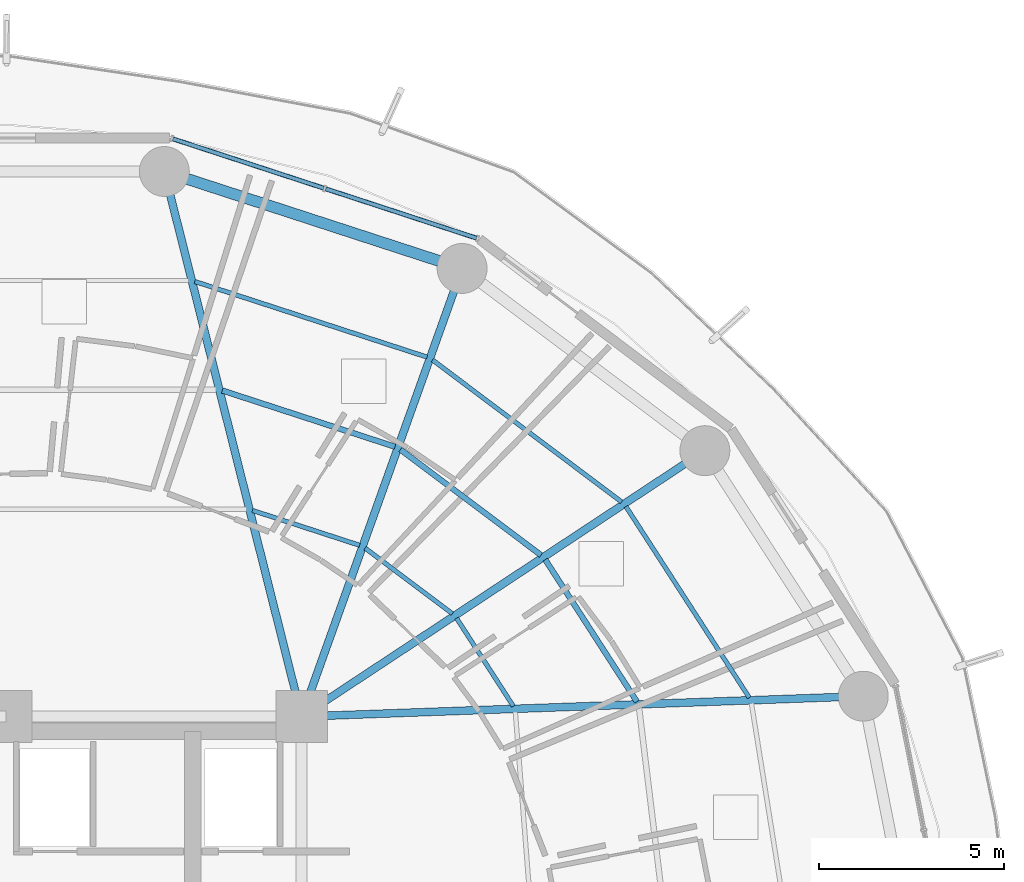
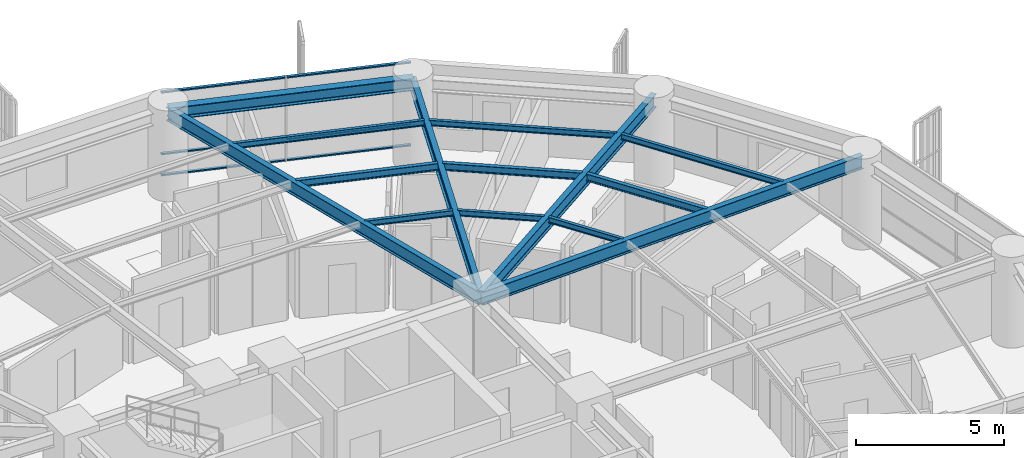
# One storey, part 23 of 35: 14 beams, 6 members, 1 element without a shape of its own.
"""IFC4 building model written with IfcOpenShell, lengths in metres."""

from ifc_helpers import new_model, si_unit, direction, frame, origin, origin_2d, place, context, subcontext, project, spatial, hollow_rectangle, i_section, extrude, material, layer, layer_set, material_profile, profile_set, type_object, element, aggregate, save


model = new_model("IFC4")

# Units and contexts
model_context = context("Model", 3, precision=1e-05, world=origin(), true_north=direction((0.0, 1.0)))
body_context = subcontext(model_context, "Body", "Model", "MODEL_VIEW")
ifc_project = project(units=[si_unit("LENGTHUNIT", "METRE"), si_unit("AREAUNIT", "SQUARE_METRE"), si_unit("VOLUMEUNIT", "CUBIC_METRE"), si_unit("PLANEANGLEUNIT", "RADIAN"), si_unit("MASSUNIT", "GRAM", prefix="KILO")], contexts=[model_context])

# Site, building, storey
site_placement = place(None, origin())
site = spatial("IfcSite", under=ifc_project, at=site_placement, CompositionType="ELEMENT")
building_placement = place(site_placement, origin())
building = spatial("IfcBuilding", under=site, at=building_placement, Name="Kelanora Arch Commons", CompositionType="ELEMENT")
storey_placement = place(building_placement, frame((0.0, 0.0, 87.60009765625)))
storey = spatial("IfcBuildingStorey", under=building, at=storey_placement, Name="L22", CompositionType="ELEMENT", Elevation=87.60009765625)

# Beams
ifc_material_1 = material(Name="Steel S355", Category="steel")
ifc_material_profile_1 = material_profile(ifc_material_1, i_section(OverallWidth=0.14990234375, OverallDepth=0.300048828125, WebThickness=0.007080078125, FlangeThickness=0.0107421875, FilletRadius=0.014892578125, at=origin_2d()), Name="IPE300")
ifc_profile_set_1 = profile_set([ifc_material_profile_1], Name="Steel S355")
beam_type_1 = type_object("IfcBeamType", Name="BM-JST-01", PredefinedType="JOIST", material=ifc_profile_set_1)
beam_1_placement = place(storey_placement, frame((91.06884765625, 65.402587890625, 3.33984375), z_axis=(-0.542230243286, 0.840229946661, 0.0), x_axis=(-0.840229946661, -0.542230243286, 0.0)))
element("IfcBeam", 1, at=beam_1_placement, inside=storey, type_object=beam_type_1, Name="Secondary Chord Joist BJB-02 L22", PredefinedType="JOIST", context=body_context, shape_type="SweptSolid", body=[
    extrude(i_section(OverallWidth=0.14990234375, OverallDepth=0.300048828125, WebThickness=0.007080078125, FlangeThickness=0.0107421875, FilletRadius=0.014892578125, at=origin_2d()), origin(), (0.0, 0.0, 1.0), 4.572265625),
])
beam_2_placement = place(storey_placement, frame((88.4755859375, 69.36669921875, 3.33984375), z_axis=(-0.79971039107, 0.600385951214, 0.0), x_axis=(-0.600385951214, -0.79971039107, 0.0)))
element("IfcBeam", 2, at=beam_2_placement, inside=storey, type_object=beam_type_1, Name="Secondary Chord Joist BJB-04 L22", PredefinedType="JOIST", context=body_context, shape_type="SweptSolid", body=[
    extrude(i_section(OverallWidth=0.14990234375, OverallDepth=0.300048828125, WebThickness=0.007080078125, FlangeThickness=0.0107421875, FilletRadius=0.014892578125, at=origin_2d()), origin(), (0.0, 0.0, 1.0), 4.756103515625),
])
beam_3_placement = place(storey_placement, frame((84.523193359375, 72.29931640625, 3.33984375), z_axis=(-0.950857140254, 0.309629938521, 0.0), x_axis=(-0.309629938521, -0.950857140254, 0.0)))
element("IfcBeam", 3, at=beam_3_placement, inside=storey, type_object=beam_type_1, Name="Secondary Chord Joist BJB-06 L22", PredefinedType="JOIST", context=body_context, shape_type="SweptSolid", body=[
    extrude(i_section(OverallWidth=0.14990234375, OverallDepth=0.300048828125, WebThickness=0.007080078125, FlangeThickness=0.0107421875, FilletRadius=0.014892578125, at=origin_2d()), origin(), (0.0, 0.0, 1.0), 4.912353515625),
])
ifc_material_profile_2 = material_profile(ifc_material_1, i_section(OverallWidth=0.1201171875, OverallDepth=0.239990234375, WebThickness=0.006103515625, FlangeThickness=0.009765625, FilletRadius=0.014892578125, at=origin_2d()), Name="IPE240")
ifc_profile_set_2 = profile_set([ifc_material_profile_2], Name="Steel S355")
beam_type_2 = type_object("IfcBeamType", Name="BM-JST-02", PredefinedType="JOIST", material=ifc_profile_set_2)
beam_4_placement = place(storey_placement, frame((87.726806640625, 65.281005859375, 3.369873046875), z_axis=(-0.542211255502, 0.840242199849, 0.0), x_axis=(-0.840242199849, -0.542211255502, 0.0)))
element("IfcBeam", 4, at=beam_4_placement, inside=storey, type_object=beam_type_2, Name="Secondary Chord Joist BJA-02 L22", PredefinedType="JOIST", context=body_context, shape_type="SweptSolid", body=[
    extrude(i_section(OverallWidth=0.1201171875, OverallDepth=0.239990234375, WebThickness=0.006103515625, FlangeThickness=0.009765625, FilletRadius=0.014892578125, at=origin_2d()), origin(), (0.0, 0.0, 1.0), 2.83349609375),
])
beam_5_placement = place(storey_placement, frame((94.107177734375, 65.512939453125, 3.369873046875), z_axis=(-0.542212726273, 0.840241250754, 0.0), x_axis=(-0.840241250754, -0.542212726273, 0.0)))
element("IfcBeam", 5, at=beam_5_placement, inside=storey, type_object=beam_type_2, Name="Secondary Chord Joist BJC-02 L22", PredefinedType="JOIST", context=body_context, shape_type="SweptSolid", body=[
    extrude(i_section(OverallWidth=0.1201171875, OverallDepth=0.239990234375, WebThickness=0.006103515625, FlangeThickness=0.009765625, FilletRadius=0.014892578125, at=origin_2d()), origin(), (0.0, 0.0, 1.0), 6.15283203125),
])
beam_6_placement = place(storey_placement, frame((86.076416015625, 67.7841796875, 3.369873046875), z_axis=(-0.799692034361, 0.600410401458, 0.0), x_axis=(-0.600410401458, -0.799692034361, 0.0)))
element("IfcBeam", 6, at=beam_6_placement, inside=storey, type_object=beam_type_2, Name="Secondary Chord Joist BJA-04 L22", PredefinedType="JOIST", context=body_context, shape_type="SweptSolid", body=[
    extrude(i_section(OverallWidth=0.1201171875, OverallDepth=0.239990234375, WebThickness=0.006103515625, FlangeThickness=0.009765625, FilletRadius=0.014892578125, at=origin_2d()), origin(), (0.0, 0.0, 1.0), 2.949951171875),
])
beam_7_placement = place(storey_placement, frame((90.65673828125, 70.805419921875, 3.369873046875), z_axis=(-0.799734335646, 0.600354055861, 0.0), x_axis=(-0.600354055861, -0.799734335646, 0.0)))
element("IfcBeam", 7, at=beam_7_placement, inside=storey, type_object=beam_type_2, Name="Secondary Chord Joist BJC-04 L22", PredefinedType="JOIST", context=body_context, shape_type="SweptSolid", body=[
    extrude(i_section(OverallWidth=0.1201171875, OverallDepth=0.239990234375, WebThickness=0.006103515625, FlangeThickness=0.009765625, FilletRadius=0.014892578125, at=origin_2d()), origin(), (0.0, 0.0, 1.0), 6.39794921875),
])
beam_8_placement = place(storey_placement, frame((83.568359375, 69.632568359375, 3.369873046875), z_axis=(-0.950846758946, 0.309661817151, 0.0), x_axis=(-0.309661817151, -0.950846758946, 0.0)))
element("IfcBeam", 8, at=beam_8_placement, inside=storey, type_object=beam_type_2, Name="Secondary Chord Joist BJA-06 L22", PredefinedType="JOIST", context=body_context, shape_type="SweptSolid", body=[
    extrude(i_section(OverallWidth=0.1201171875, OverallDepth=0.239990234375, WebThickness=0.006103515625, FlangeThickness=0.009765625, FilletRadius=0.014892578125, at=origin_2d()), origin(), (0.0, 0.0, 1.0), 3.048828125),
])
beam_9_placement = place(storey_placement, frame((85.39111328125, 74.723876953125, 3.369873046875), z_axis=(-0.950862829272, 0.309612467301, 0.0), x_axis=(-0.309612467301, -0.950862829272, 0.0)))
element("IfcBeam", 9, at=beam_9_placement, inside=storey, type_object=beam_type_2, Name="Secondary Chord Joist BJC-06 L22", PredefinedType="JOIST", context=body_context, shape_type="SweptSolid", body=[
    extrude(i_section(OverallWidth=0.1201171875, OverallDepth=0.239990234375, WebThickness=0.006103515625, FlangeThickness=0.009765625, FilletRadius=0.014892578125, at=origin_2d()), origin(), (0.0, 0.0, 1.0), 6.6064453125),
])
ifc_material_profile_3 = material_profile(ifc_material_1, i_section(OverallWidth=0.2099609375, OverallDepth=0.550048828125, WebThickness=0.010986328125, FlangeThickness=0.01708984375, FilletRadius=0.02392578125, at=origin_2d()), Name="IPE550")
ifc_profile_set_3 = profile_set([ifc_material_profile_3], Name="Steel S355")
beam_type_3 = type_object("IfcBeamType", Name="BM-RAD-Z2", PredefinedType="BEAM", material=ifc_profile_set_3)
beam_10_placement = place(storey_placement, frame((82.0, 65.0, 3.21484375), z_axis=(0.999341087625, 0.036295875581, 0.0), x_axis=(-0.036295875581, 0.999341087625, 0.0)))
element("IfcBeam", 10, at=beam_10_placement, inside=storey, type_object=beam_type_3, Name="Radial Floor Girder BR-02 L22", PredefinedType="BEAM", context=body_context, shape_type="SweptSolid", body=[
    extrude(i_section(OverallWidth=0.2099609375, OverallDepth=0.550048828125, WebThickness=0.010986328125, FlangeThickness=0.01708984375, FilletRadius=0.02392578125, at=origin_2d()), origin(), (0.0, 0.0, 1.0), 15.20166015625),
])
beam_11_placement = place(storey_placement, frame((82.0, 65.0, 3.21484375), z_axis=(0.834788577908, 0.550570640512, 0.0), x_axis=(-0.550570640512, 0.834788577908, 0.0)))
element("IfcBeam", 11, at=beam_11_placement, inside=storey, type_object=beam_type_3, Name="Radial Floor Girder BR-04 L22", PredefinedType="BEAM", context=body_context, shape_type="SweptSolid", body=[
    extrude(i_section(OverallWidth=0.2099609375, OverallDepth=0.550048828125, WebThickness=0.010986328125, FlangeThickness=0.01708984375, FilletRadius=0.02392578125, at=origin_2d()), origin(), (0.0, 0.0, 1.0), 13.064453125),
])
beam_12_placement = place(storey_placement, frame((82.0, 65.0, 3.21484375), z_axis=(0.337084640008, 0.941474346687, 0.0), x_axis=(-0.941474346687, 0.337084640008, 0.0)))
element("IfcBeam", 12, at=beam_12_placement, inside=storey, type_object=beam_type_3, Name="Radial Floor Girder BR-06 L22", PredefinedType="BEAM", context=body_context, shape_type="SweptSolid", body=[
    extrude(i_section(OverallWidth=0.2099609375, OverallDepth=0.550048828125, WebThickness=0.010986328125, FlangeThickness=0.01708984375, FilletRadius=0.02392578125, at=origin_2d()), origin(), (0.0, 0.0, 1.0), 12.875244140625),
])
beam_13_placement = place(storey_placement, frame((82.0, 65.0, 3.21484375), z_axis=(-0.244280647475, 0.969704576286, 0.0), x_axis=(-0.969704576286, -0.244280647475, 0.0)))
element("IfcBeam", 13, at=beam_13_placement, inside=storey, type_object=beam_type_3, Name="Radial Floor Girder BR-08 L22", PredefinedType="BEAM", context=body_context, shape_type="SweptSolid", body=[
    extrude(i_section(OverallWidth=0.2099609375, OverallDepth=0.550048828125, WebThickness=0.010986328125, FlangeThickness=0.01708984375, FilletRadius=0.02392578125, at=origin_2d()), origin(), (0.0, 0.0, 1.0), 15.205322265625),
])
ifc_material_profile_4 = material_profile(ifc_material_1, i_section(OverallWidth=0.300048828125, OverallDepth=0.5, WebThickness=0.014404296875, FlangeThickness=0.028076171875, FilletRadius=0.027099609375, at=origin_2d()), Name="HEB500")
ifc_profile_set_4 = profile_set([ifc_material_profile_4], Name="Steel S355")
beam_type_4 = type_object("IfcBeamType", Name="BM-SPN-Z2", PredefinedType="SPANDREL", material=ifc_profile_set_4)
beam_14_placement = place(storey_placement, frame((86.340087890625, 77.121826171875, 3.239990234375), z_axis=(-0.950856631974, 0.309631499418, 0.0), x_axis=(-0.309631499418, -0.950856631974, 0.0)))
element("IfcBeam", 14, at=beam_14_placement, inside=storey, type_object=beam_type_4, Name="Perimeter Spandrel Beam BS-06 L22", PredefinedType="SPANDREL", context=body_context, shape_type="SweptSolid", body=[
    extrude(i_section(OverallWidth=0.300048828125, OverallDepth=0.5, WebThickness=0.014404296875, FlangeThickness=0.028076171875, FilletRadius=0.027099609375, at=origin_2d()), origin(), (0.0, 0.0, 1.0), 8.470703125),
])

# Curtain wall, members
ifc_material_2 = material(Name="Terracotta ceramic-fritted low-E glass and aluminium", Category="masonry")
ifc_layer = layer(ifc_material_2, 0.159912109375)
ifc_layer_set = layer_set([ifc_layer], Name="Terracotta ceramic-fritted low-E glass and aluminium")
curtain_wall_type = type_object("IfcCurtainWallType", Name="CW-SYS-01", PredefinedType="NOTDEFINED", material=ifc_layer_set)
curtain_wall_placement = place(storey_placement, origin())
curtain_wall = element("IfcCurtainWall", 15, at=curtain_wall_placement, inside=storey, type_object=curtain_wall_type, Name="Unitised Curtain Wall L22-B03", PredefinedType="NOTDEFINED")
ifc_material_3 = material(Name="Powder-coated aluminium terracotta", Category="masonry")
ifc_material_profile_5 = material_profile(ifc_material_3, hollow_rectangle(XDim=0.1201171875, YDim=0.06005859375, WallThickness=0.0048828125, InnerFilletRadius=0.0048828125, OuterFilletRadius=0.010009765625, at=origin_2d()), Name="CWT120x60")
ifc_profile_set_5 = profile_set([ifc_material_profile_5], Name="Powder-coated aluminium terracotta")
member_type = type_object("IfcMemberType", Name="CWT-STD", PredefinedType="USERDEFINED", material=ifc_profile_set_5)
member_1_placement = place(storey_placement, frame((86.728759765625, 77.94189453125, 0.02978515625), z_axis=(-0.950466230394, 0.310827838008, 0.0), x_axis=(-0.310827838008, -0.950466230394, 0.0)))
member_1 = element("IfcMember", 16, at=member_1_placement, type_object=member_type, Name="CW-01 transom 1.1", ObjectType="TRANSOM", PredefinedType="USERDEFINED", context=body_context, shape_type="SweptSolid", body=[
    extrude(hollow_rectangle(XDim=0.1201171875, YDim=0.06005859375, WallThickness=0.0048828125, InnerFilletRadius=0.0048828125, OuterFilletRadius=0.010009765625, at=origin_2d()), origin(), (0.0, 0.0, 1.0), 4.2900390625),
])
member_2_placement = place(storey_placement, frame((86.728759765625, 77.94189453125, 0.89990234375), z_axis=(-0.950466230394, 0.310827838008, 0.0), x_axis=(-0.310827838008, -0.950466230394, 0.0)))
member_2 = element("IfcMember", 17, at=member_2_placement, type_object=member_type, Name="CW-01 transom 1.2", ObjectType="TRANSOM", PredefinedType="USERDEFINED", context=body_context, shape_type="SweptSolid", body=[
    extrude(hollow_rectangle(XDim=0.1201171875, YDim=0.06005859375, WallThickness=0.0048828125, InnerFilletRadius=0.0048828125, OuterFilletRadius=0.010009765625, at=origin_2d()), origin(), (0.0, 0.0, 1.0), 4.2900390625),
])
member_3_placement = place(storey_placement, frame((86.728759765625, 77.94189453125, 3.44482421875), z_axis=(-0.950466230394, 0.310827838008, 0.0), x_axis=(-0.310827838008, -0.950466230394, 0.0)))
member_3 = element("IfcMember", 18, at=member_3_placement, type_object=member_type, Name="CW-01 transom 1.3", ObjectType="TRANSOM", PredefinedType="USERDEFINED", context=body_context, shape_type="SweptSolid", body=[
    extrude(hollow_rectangle(XDim=0.1201171875, YDim=0.06005859375, WallThickness=0.0048828125, InnerFilletRadius=0.0048828125, OuterFilletRadius=0.010009765625, at=origin_2d()), origin(), (0.0, 0.0, 1.0), 4.2900390625),
])
member_4_placement = place(storey_placement, frame((82.59423828125, 79.2939453125, 0.02978515625), z_axis=(-0.950477544745, 0.31079323824, 0.0), x_axis=(-0.31079323824, -0.950477544745, 0.0)))
member_4 = element("IfcMember", 19, at=member_4_placement, type_object=member_type, Name="CW-01 transom 2.1", ObjectType="TRANSOM", PredefinedType="USERDEFINED", context=body_context, shape_type="SweptSolid", body=[
    extrude(hollow_rectangle(XDim=0.1201171875, YDim=0.06005859375, WallThickness=0.0048828125, InnerFilletRadius=0.0048828125, OuterFilletRadius=0.010009765625, at=origin_2d()), origin(), (0.0, 0.0, 1.0), 4.289794921875),
])
member_5_placement = place(storey_placement, frame((82.59423828125, 79.2939453125, 0.89990234375), z_axis=(-0.950477544745, 0.31079323824, 0.0), x_axis=(-0.31079323824, -0.950477544745, 0.0)))
member_5 = element("IfcMember", 20, at=member_5_placement, type_object=member_type, Name="CW-01 transom 2.2", ObjectType="TRANSOM", PredefinedType="USERDEFINED", context=body_context, shape_type="SweptSolid", body=[
    extrude(hollow_rectangle(XDim=0.1201171875, YDim=0.06005859375, WallThickness=0.0048828125, InnerFilletRadius=0.0048828125, OuterFilletRadius=0.010009765625, at=origin_2d()), origin(), (0.0, 0.0, 1.0), 4.289794921875),
])
member_6_placement = place(storey_placement, frame((82.59423828125, 79.2939453125, 3.44482421875), z_axis=(-0.950477544745, 0.31079323824, 0.0), x_axis=(-0.31079323824, -0.950477544745, 0.0)))
member_6 = element("IfcMember", 21, at=member_6_placement, type_object=member_type, Name="CW-01 transom 2.3", ObjectType="TRANSOM", PredefinedType="USERDEFINED", context=body_context, shape_type="SweptSolid", body=[
    extrude(hollow_rectangle(XDim=0.1201171875, YDim=0.06005859375, WallThickness=0.0048828125, InnerFilletRadius=0.0048828125, OuterFilletRadius=0.010009765625, at=origin_2d()), origin(), (0.0, 0.0, 1.0), 4.289794921875),
])
aggregate(curtain_wall, [member_1, member_2, member_3, member_4, member_5, member_6])

save(model, "model.ifc")
